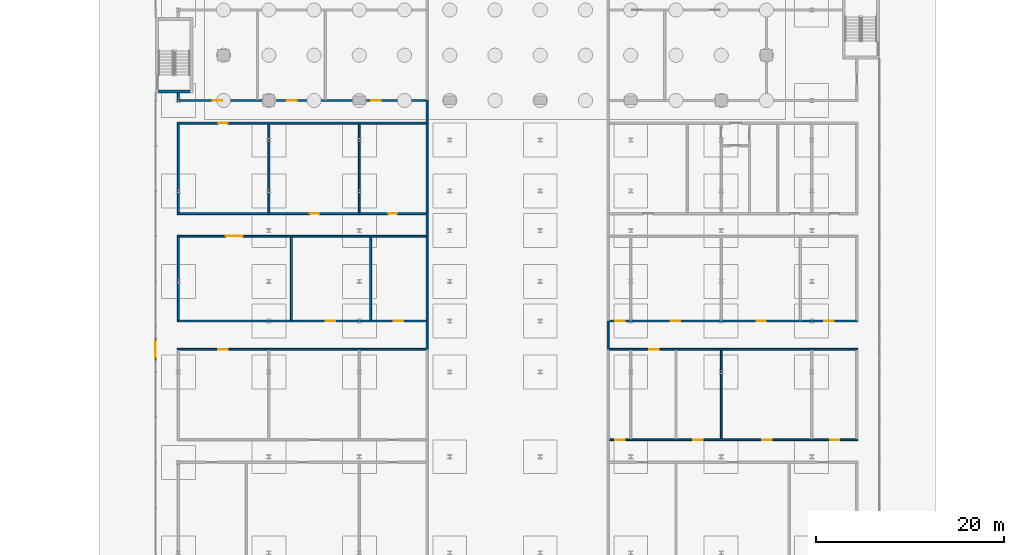
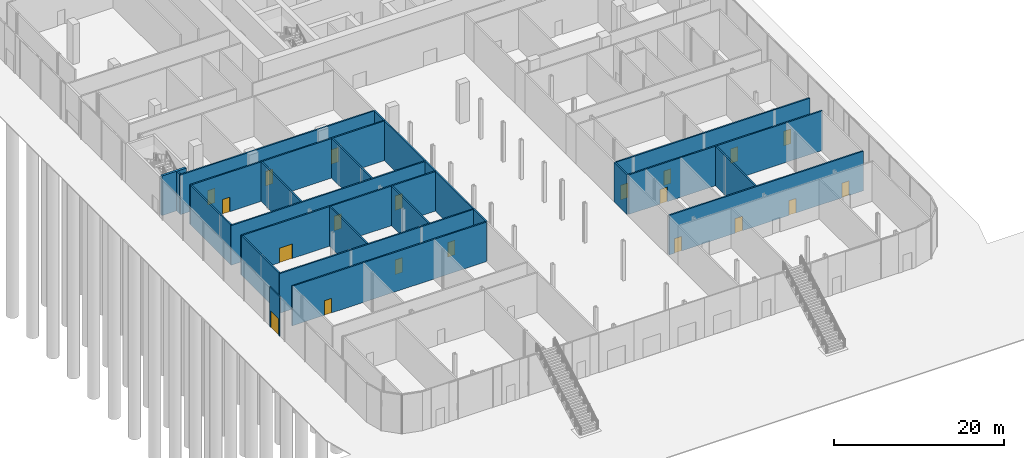
# One storey, part 30 of 44: 25 walls, 20 doors, 20 openings.
"""IFC4 building model written with IfcOpenShell, lengths in metres."""

from ifc_helpers import new_model, si_unit, direction, frame, frame_2d, origin, place, context, subcontext, project, spatial, rectangle, extrude, material, layer, layer_set, type_object, element, fill, save


model = new_model("IFC4")

# Units and contexts
model_context = context("Model", 3, precision=1e-05, world=origin(), true_north=direction((0.0, 1.0)))
body_context = subcontext(model_context, "Body", "Model", "MODEL_VIEW")
ifc_project = project(units=[si_unit("LENGTHUNIT", "METRE"), si_unit("AREAUNIT", "SQUARE_METRE"), si_unit("VOLUMEUNIT", "CUBIC_METRE"), si_unit("PLANEANGLEUNIT", "RADIAN"), si_unit("MASSUNIT", "GRAM", prefix="KILO")], contexts=[model_context])

# Site, building, storey
site_placement = place(None, origin())
site = spatial("IfcSite", under=ifc_project, at=site_placement, CompositionType="ELEMENT")
building_placement = place(site_placement, origin())
building = spatial("IfcBuilding", under=site, at=building_placement, Name="Madar Terraces", CompositionType="ELEMENT")
storey_placement = place(building_placement, origin())
storey = spatial("IfcBuildingStorey", under=building, at=storey_placement, Name="L00", CompositionType="ELEMENT", Elevation=0.0)

# Wall, opening, door
ifc_material_1 = material(Name="Aluminium composite panel, black, over insulated backing", Category="aluminium")
ifc_layer_1 = layer(ifc_material_1, 0.14990234375)
ifc_layer_set_1 = layer_set([ifc_layer_1], Name="Facade bay panel 150")
wall_type_1 = type_object("IfcWallType", Name="Facade bay panel 150", PredefinedType="SOLIDWALL", material=ifc_layer_set_1)
wall_1_placement = place(storey_placement, frame((-7.199951171875, -25.199951171875, 0.0), z_axis=(0.0, 0.0, 1.0), x_axis=(0.0, -1.0, 0.0)))
wall_1 = element("IfcWall", 1, at=wall_1_placement, inside=storey, type_object=wall_type_1, Name="Facade bay panel", PredefinedType="SOLIDWALL", context=body_context, shape_type="SweptSolid", body=[
    extrude(rectangle(XDim=2.400146484375, YDim=0.14990234375, at=frame_2d((1.2001953125, 0.0))), origin(), (0.0, 0.0, 1.0), 5.699951171875),
])
opening_1_placement = place(wall_1_placement, frame((0.300048828125, 0.0, 0.0)))
opening_1 = element("IfcOpeningElement", 2, at=opening_1_placement, cuts=wall_1, Name="Opening ED1", PredefinedType="OPENING", context=body_context, shape_type="SweptSolid", body=[
    extrude(rectangle(XDim=1.800048828125, YDim=2.39990234375, at=frame_2d((0.89990234375, 1.199951171875))), frame((0.0, 0.0849609375, 0.0), z_axis=(0.0, -1.0, 0.0), x_axis=(1.0, 0.0, 0.0)), (0.0, 0.0, 1.0), 0.169921875),
])
ifc_material_2 = material(Name="Glass, clear, with black aluminium frame", Category="aluminium")
door_type_1 = type_object("IfcDoorType", Name="Balcony and terrace sliding door 1800 x 2400", OperationType="SLIDING_TO_LEFT", PredefinedType="DOOR", material=ifc_material_2)
door_1_placement = place(opening_1_placement, origin())
door_1 = element("IfcDoor", 3, at=door_1_placement, inside=storey, type_object=door_type_1, Name="Balcony door", OperationType="SLIDING_TO_RIGHT", OverallHeight=2.39990234375, OverallWidth=1.800048828125, PredefinedType="DOOR", context=body_context, shape_type="SweptSolid", body=[
    extrude(rectangle(XDim=1.800048828125, YDim=2.39990234375, at=frame_2d((0.89990234375, 1.199951171875))), frame((0.0, 0.02490234375, 0.0), z_axis=(0.0, -1.0, 0.0), x_axis=(1.0, 0.0, 0.0)), (0.0, 0.0, 1.0), 0.050048828125),
])
fill(opening_1, door_1)

# Wall, openings, doors
ifc_material_3 = material(Name="Gypsum board partition, fire-rated")
ifc_layer_2 = layer(ifc_material_3, 0.199951171875)
ifc_layer_set_2 = layer_set([ifc_layer_2], Name="Partition 200 EI 60")
wall_type_2 = type_object("IfcWallType", Name="Partition 200 EI 60", PredefinedType="PARTITIONING", material=ifc_layer_set_2)
wall_2_placement = place(storey_placement, frame((40.89990234375, -36.0, 0.0), z_axis=(0.0, 0.0, 1.0), x_axis=(1.0, 0.0, 0.0)))
wall_2 = element("IfcWall", 4, at=wall_2_placement, inside=storey, type_object=wall_type_2, Name="Wall OFFICE + STORE", PredefinedType="PARTITIONING", context=body_context, shape_type="SweptSolid", body=[
    extrude(rectangle(XDim=26.400146484375, YDim=0.199951171875, at=frame_2d((13.2001953125, 0.0))), origin(), (0.0, 0.0, 1.0), 5.699951171875),
])
opening_2_placement = place(wall_2_placement, frame((0.64990234375, 0.0, 0.0)))
opening_2 = element("IfcOpeningElement", 5, at=opening_2_placement, cuts=wall_2, Name="Opening D31", PredefinedType="OPENING", context=body_context, shape_type="SweptSolid", body=[
    extrude(rectangle(XDim=1.0, YDim=2.10009765625, at=frame_2d((0.5, 1.050048828125))), frame((0.0, 0.10986328125, 0.0), z_axis=(0.0, -1.0, 0.0), x_axis=(1.0, 0.0, 0.0)), (0.0, 0.0, 1.0), 0.219970703125),
])
opening_3_placement = place(wall_2_placement, frame((8.949951171875, 0.0, 0.0)))
opening_3 = element("IfcOpeningElement", 6, at=opening_3_placement, cuts=wall_2, Name="Opening D31", PredefinedType="OPENING", context=body_context, shape_type="SweptSolid", body=[
    extrude(rectangle(XDim=1.0, YDim=2.10009765625, at=frame_2d((0.5, 1.050048828125))), frame((0.0, 0.10986328125, 0.0), z_axis=(0.0, -1.0, 0.0), x_axis=(1.0, 0.0, 0.0)), (0.0, 0.0, 1.0), 0.219970703125),
])
opening_4_placement = place(wall_2_placement, frame((16.25, 0.0, 0.0)))
opening_4 = element("IfcOpeningElement", 7, at=opening_4_placement, cuts=wall_2, Name="Opening D31", PredefinedType="OPENING", context=body_context, shape_type="SweptSolid", body=[
    extrude(rectangle(XDim=1.0, YDim=2.10009765625, at=frame_2d((0.5, 1.050048828125))), frame((0.0, 0.10986328125, 0.0), z_axis=(0.0, -1.0, 0.0), x_axis=(1.0, 0.0, 0.0)), (0.0, 0.0, 1.0), 0.219970703125),
])
opening_5_placement = place(wall_2_placement, frame((23.449951171875, 0.0, 0.0)))
opening_5 = element("IfcOpeningElement", 8, at=opening_5_placement, cuts=wall_2, Name="Opening D31", PredefinedType="OPENING", context=body_context, shape_type="SweptSolid", body=[
    extrude(rectangle(XDim=1.0, YDim=2.10009765625, at=frame_2d((0.5, 1.050048828125))), frame((0.0, 0.10986328125, 0.0), z_axis=(0.0, -1.0, 0.0), x_axis=(1.0, 0.0, 0.0)), (0.0, 0.0, 1.0), 0.219970703125),
])
ifc_material_4 = material(Name="Timber door leaf, fire-rated", Category="wood")
door_type_2 = type_object("IfcDoorType", Name="Podium door 1000 x 2100 FD30S", OperationType="NOTDEFINED", PredefinedType="DOOR", material=ifc_material_4)
door_2_placement = place(opening_2_placement, origin())
door_2 = element("IfcDoor", 9, at=door_2_placement, inside=storey, type_object=door_type_2, Name="Door STORE / PODIUM CORRIDOR", OperationType="SINGLE_SWING_LEFT", OverallHeight=2.10009765625, OverallWidth=1.0, PredefinedType="DOOR", context=body_context, shape_type="SweptSolid", body=[
    extrude(rectangle(XDim=1.0, YDim=2.10009765625, at=frame_2d((0.5, 1.050048828125))), frame((0.0, 0.02490234375, 0.0), z_axis=(0.0, -1.0, 0.0), x_axis=(1.0, 0.0, 0.0)), (0.0, 0.0, 1.0), 0.050048828125),
])
fill(opening_2, door_2)
door_3_placement = place(opening_3_placement, origin())
door_3 = element("IfcDoor", 10, at=door_3_placement, inside=storey, type_object=door_type_2, Name="Door OFFICE / PODIUM CORRIDOR", OperationType="SINGLE_SWING_LEFT", OverallHeight=2.10009765625, OverallWidth=1.0, PredefinedType="DOOR", context=body_context, shape_type="SweptSolid", body=[
    extrude(rectangle(XDim=1.0, YDim=2.10009765625, at=frame_2d((0.5, 1.050048828125))), frame((0.0, 0.02490234375, 0.0), z_axis=(0.0, -1.0, 0.0), x_axis=(1.0, 0.0, 0.0)), (0.0, 0.0, 1.0), 0.050048828125),
])
fill(opening_3, door_3)
door_4_placement = place(opening_4_placement, origin())
door_4 = element("IfcDoor", 11, at=door_4_placement, inside=storey, type_object=door_type_2, Name="Door OFFICE / PODIUM CORRIDOR", OperationType="SINGLE_SWING_RIGHT", OverallHeight=2.10009765625, OverallWidth=1.0, PredefinedType="DOOR", context=body_context, shape_type="SweptSolid", body=[
    extrude(rectangle(XDim=1.0, YDim=2.10009765625, at=frame_2d((0.5, 1.050048828125))), frame((0.0, 0.02490234375, 0.0), z_axis=(0.0, -1.0, 0.0), x_axis=(1.0, 0.0, 0.0)), (0.0, 0.0, 1.0), 0.050048828125),
])
fill(opening_4, door_4)
door_5_placement = place(opening_5_placement, origin())
door_5 = element("IfcDoor", 12, at=door_5_placement, inside=storey, type_object=door_type_2, Name="Door OFFICE / PODIUM CORRIDOR", OperationType="SINGLE_SWING_LEFT", OverallHeight=2.10009765625, OverallWidth=1.0, PredefinedType="DOOR", context=body_context, shape_type="SweptSolid", body=[
    extrude(rectangle(XDim=1.0, YDim=2.10009765625, at=frame_2d((0.5, 1.050048828125))), frame((0.0, 0.02490234375, 0.0), z_axis=(0.0, -1.0, 0.0), x_axis=(1.0, 0.0, 0.0)), (0.0, 0.0, 1.0), 0.050048828125),
])
fill(opening_5, door_5)

# Wall, opening, door
wall_3_placement = place(storey_placement, frame((21.5, -26.39990234375, 0.0), z_axis=(0.0, 0.0, 1.0), x_axis=(-1.0, 0.0, 0.0)))
wall_3 = element("IfcWall", 13, at=wall_3_placement, inside=storey, type_object=wall_type_2, Name="Wall KIOSK + OFFICE", PredefinedType="PARTITIONING", context=body_context, shape_type="SweptSolid", body=[
    extrude(rectangle(XDim=26.39990234375, YDim=0.199951171875, at=frame_2d((13.199951171875, 0.0))), origin(), (0.0, 0.0, 1.0), 5.699951171875),
])
opening_6_placement = place(wall_3_placement, frame((21.050048828125, 0.0, 0.0)))
opening_6 = element("IfcOpeningElement", 14, at=opening_6_placement, cuts=wall_3, Name="Opening D31", PredefinedType="OPENING", context=body_context, shape_type="SweptSolid", body=[
    extrude(rectangle(XDim=1.0, YDim=2.10009765625, at=frame_2d((0.5, 1.050048828125))), frame((0.0, 0.10986328125, 0.0), z_axis=(0.0, -1.0, 0.0), x_axis=(1.0, 0.0, 0.0)), (0.0, 0.0, 1.0), 0.219970703125),
])
door_6_placement = place(opening_6_placement, origin())
door_6 = element("IfcDoor", 15, at=door_6_placement, inside=storey, type_object=door_type_2, Name="Door OFFICE / PODIUM CORRIDOR", OperationType="SINGLE_SWING_LEFT", OverallHeight=2.10009765625, OverallWidth=1.0, PredefinedType="DOOR", context=body_context, shape_type="SweptSolid", body=[
    extrude(rectangle(XDim=1.0, YDim=2.10009765625, at=frame_2d((0.5, 1.050048828125))), frame((0.0, 0.02490234375, 0.0), z_axis=(0.0, -1.0, 0.0), x_axis=(1.0, 0.0, 0.0)), (0.0, 0.0, 1.0), 0.050048828125),
])
fill(opening_6, door_6)

wall_4_placement = place(storey_placement, frame((67.300048828125, -26.39990234375, 0.0), z_axis=(0.0, 0.0, 1.0), x_axis=(-1.0, 0.0, 0.0)))
wall_4 = element("IfcWall", 16, at=wall_4_placement, inside=storey, type_object=wall_type_2, Name="Wall OFFICE + STORE", PredefinedType="PARTITIONING", context=body_context, shape_type="SweptSolid", body=[
    extrude(rectangle(XDim=26.400146484375, YDim=0.199951171875, at=frame_2d((13.2001953125, 0.0))), origin(), (0.0, 0.0, 1.0), 5.699951171875),
])
opening_7_placement = place(wall_4_placement, frame((21.14990234375, 0.0, 0.0)))
opening_7 = element("IfcOpeningElement", 17, at=opening_7_placement, cuts=wall_4, Name="Opening D31", PredefinedType="OPENING", context=body_context, shape_type="SweptSolid", body=[
    extrude(rectangle(XDim=1.0, YDim=2.10009765625, at=frame_2d((0.5, 1.050048828125))), frame((0.0, 0.10986328125, 0.0), z_axis=(0.0, -1.0, 0.0), x_axis=(1.0, 0.0, 0.0)), (0.0, 0.0, 1.0), 0.219970703125),
])
door_7_placement = place(opening_7_placement, origin())
door_7 = element("IfcDoor", 18, at=door_7_placement, inside=storey, type_object=door_type_2, Name="Door OFFICE / PODIUM CORRIDOR", OperationType="SINGLE_SWING_LEFT", OverallHeight=2.10009765625, OverallWidth=1.0, PredefinedType="DOOR", context=body_context, shape_type="SweptSolid", body=[
    extrude(rectangle(XDim=1.0, YDim=2.10009765625, at=frame_2d((0.5, 1.050048828125))), frame((0.0, 0.02490234375, 0.0), z_axis=(0.0, -1.0, 0.0), x_axis=(1.0, 0.0, 0.0)), (0.0, 0.0, 1.0), 0.050048828125),
])
fill(opening_7, door_7)

# Wall, openings, doors
wall_5_placement = place(storey_placement, frame((-4.89990234375, -23.39990234375, 0.0), z_axis=(0.0, 0.0, 1.0), x_axis=(1.0, 0.0, 0.0)))
wall_5 = element("IfcWall", 19, at=wall_5_placement, inside=storey, type_object=wall_type_2, Name="Wall CAFE + KITCHEN", PredefinedType="PARTITIONING", context=body_context, shape_type="SweptSolid", body=[
    extrude(rectangle(XDim=26.39990234375, YDim=0.199951171875, at=frame_2d((13.199951171875, 0.0))), origin(), (0.0, 0.0, 1.0), 5.699951171875),
])
opening_8_placement = place(wall_5_placement, frame((15.75, 0.0, 0.0)))
opening_8 = element("IfcOpeningElement", 20, at=opening_8_placement, cuts=wall_5, Name="Opening D31", PredefinedType="OPENING", context=body_context, shape_type="SweptSolid", body=[
    extrude(rectangle(XDim=1.0, YDim=2.10009765625, at=frame_2d((0.5, 1.050048828125))), frame((0.0, 0.10986328125, 0.0), z_axis=(0.0, -1.0, 0.0), x_axis=(1.0, 0.0, 0.0)), (0.0, 0.0, 1.0), 0.219970703125),
])
opening_9_placement = place(wall_5_placement, frame((22.949951171875, 0.0, 0.0)))
opening_9 = element("IfcOpeningElement", 21, at=opening_9_placement, cuts=wall_5, Name="Opening D31", PredefinedType="OPENING", context=body_context, shape_type="SweptSolid", body=[
    extrude(rectangle(XDim=1.0, YDim=2.10009765625, at=frame_2d((0.5, 1.050048828125))), frame((0.0, 0.10986328125, 0.0), z_axis=(0.0, -1.0, 0.0), x_axis=(1.0, 0.0, 0.0)), (0.0, 0.0, 1.0), 0.219970703125),
])
door_8_placement = place(opening_8_placement, origin())
door_8 = element("IfcDoor", 22, at=door_8_placement, inside=storey, type_object=door_type_2, Name="Door STORE / PODIUM CORRIDOR", OperationType="SINGLE_SWING_LEFT", OverallHeight=2.10009765625, OverallWidth=1.0, PredefinedType="DOOR", context=body_context, shape_type="SweptSolid", body=[
    extrude(rectangle(XDim=1.0, YDim=2.10009765625, at=frame_2d((0.5, 1.050048828125))), frame((0.0, 0.02490234375, 0.0), z_axis=(0.0, -1.0, 0.0), x_axis=(1.0, 0.0, 0.0)), (0.0, 0.0, 1.0), 0.050048828125),
])
fill(opening_8, door_8)
door_9_placement = place(opening_9_placement, origin())
door_9 = element("IfcDoor", 23, at=door_9_placement, inside=storey, type_object=door_type_2, Name="Door KITCHEN / PODIUM CORRIDOR", OperationType="SINGLE_SWING_LEFT", OverallHeight=2.10009765625, OverallWidth=1.0, PredefinedType="DOOR", context=body_context, shape_type="SweptSolid", body=[
    extrude(rectangle(XDim=1.0, YDim=2.10009765625, at=frame_2d((0.5, 1.050048828125))), frame((0.0, 0.02490234375, 0.0), z_axis=(0.0, -1.0, 0.0), x_axis=(1.0, 0.0, 0.0)), (0.0, 0.0, 1.0), 0.050048828125),
])
fill(opening_9, door_9)

wall_6_placement = place(storey_placement, frame((40.89990234375, -23.39990234375, 0.0), z_axis=(0.0, 0.0, 1.0), x_axis=(1.0, 0.0, 0.0)))
wall_6 = element("IfcWall", 24, at=wall_6_placement, inside=storey, type_object=wall_type_2, Name="Wall KIOSK + STORE", PredefinedType="PARTITIONING", context=body_context, shape_type="SweptSolid", body=[
    extrude(rectangle(XDim=26.400146484375, YDim=0.199951171875, at=frame_2d((13.2001953125, 0.0))), origin(), (0.0, 0.0, 1.0), 5.699951171875),
])
opening_10_placement = place(wall_6_placement, frame((0.64990234375, 0.0, 0.0)))
opening_10 = element("IfcOpeningElement", 25, at=opening_10_placement, cuts=wall_6, Name="Opening D31", PredefinedType="OPENING", context=body_context, shape_type="SweptSolid", body=[
    extrude(rectangle(XDim=1.0, YDim=2.10009765625, at=frame_2d((0.5, 1.050048828125))), frame((0.0, 0.10986328125, 0.0), z_axis=(0.0, -1.0, 0.0), x_axis=(1.0, 0.0, 0.0)), (0.0, 0.0, 1.0), 0.219970703125),
])
opening_11_placement = place(wall_6_placement, frame((6.550048828125, 0.0, 0.0)))
opening_11 = element("IfcOpeningElement", 26, at=opening_11_placement, cuts=wall_6, Name="Opening D31", PredefinedType="OPENING", context=body_context, shape_type="SweptSolid", body=[
    extrude(rectangle(XDim=1.0, YDim=2.10009765625, at=frame_2d((0.5, 1.050048828125))), frame((0.0, 0.10986328125, 0.0), z_axis=(0.0, -1.0, 0.0), x_axis=(1.0, 0.0, 0.0)), (0.0, 0.0, 1.0), 0.219970703125),
])
opening_12_placement = place(wall_6_placement, frame((15.64990234375, 0.0, 0.0)))
opening_12 = element("IfcOpeningElement", 27, at=opening_12_placement, cuts=wall_6, Name="Opening D31", PredefinedType="OPENING", context=body_context, shape_type="SweptSolid", body=[
    extrude(rectangle(XDim=1.0, YDim=2.10009765625, at=frame_2d((0.5, 1.050048828125))), frame((0.0, 0.10986328125, 0.0), z_axis=(0.0, -1.0, 0.0), x_axis=(1.0, 0.0, 0.0)), (0.0, 0.0, 1.0), 0.219970703125),
])
opening_13_placement = place(wall_6_placement, frame((22.85009765625, 0.0, 0.0)))
opening_13 = element("IfcOpeningElement", 28, at=opening_13_placement, cuts=wall_6, Name="Opening D31", PredefinedType="OPENING", context=body_context, shape_type="SweptSolid", body=[
    extrude(rectangle(XDim=1.0, YDim=2.10009765625, at=frame_2d((0.5, 1.050048828125))), frame((0.0, 0.10986328125, 0.0), z_axis=(0.0, -1.0, 0.0), x_axis=(1.0, 0.0, 0.0)), (0.0, 0.0, 1.0), 0.219970703125),
])
door_10_placement = place(opening_10_placement, origin())
door_10 = element("IfcDoor", 29, at=door_10_placement, inside=storey, type_object=door_type_2, Name="Door STORE / PODIUM CORRIDOR", OperationType="SINGLE_SWING_LEFT", OverallHeight=2.10009765625, OverallWidth=1.0, PredefinedType="DOOR", context=body_context, shape_type="SweptSolid", body=[
    extrude(rectangle(XDim=1.0, YDim=2.10009765625, at=frame_2d((0.5, 1.050048828125))), frame((0.0, 0.02490234375, 0.0), z_axis=(0.0, -1.0, 0.0), x_axis=(1.0, 0.0, 0.0)), (0.0, 0.0, 1.0), 0.050048828125),
])
fill(opening_10, door_10)
door_11_placement = place(opening_11_placement, origin())
door_11 = element("IfcDoor", 30, at=door_11_placement, inside=storey, type_object=door_type_2, Name="Door WORKSHOP / PODIUM CORRIDOR", OperationType="SINGLE_SWING_LEFT", OverallHeight=2.10009765625, OverallWidth=1.0, PredefinedType="DOOR", context=body_context, shape_type="SweptSolid", body=[
    extrude(rectangle(XDim=1.0, YDim=2.10009765625, at=frame_2d((0.5, 1.050048828125))), frame((0.0, 0.02490234375, 0.0), z_axis=(0.0, -1.0, 0.0), x_axis=(1.0, 0.0, 0.0)), (0.0, 0.0, 1.0), 0.050048828125),
])
fill(opening_11, door_11)
door_12_placement = place(opening_12_placement, origin())
door_12 = element("IfcDoor", 31, at=door_12_placement, inside=storey, type_object=door_type_2, Name="Door WORKSHOP / PODIUM CORRIDOR", OperationType="SINGLE_SWING_RIGHT", OverallHeight=2.10009765625, OverallWidth=1.0, PredefinedType="DOOR", context=body_context, shape_type="SweptSolid", body=[
    extrude(rectangle(XDim=1.0, YDim=2.10009765625, at=frame_2d((0.5, 1.050048828125))), frame((0.0, 0.02490234375, 0.0), z_axis=(0.0, -1.0, 0.0), x_axis=(1.0, 0.0, 0.0)), (0.0, 0.0, 1.0), 0.050048828125),
])
fill(opening_12, door_12)
door_13_placement = place(opening_13_placement, origin())
door_13 = element("IfcDoor", 32, at=door_13_placement, inside=storey, type_object=door_type_2, Name="Door KIOSK / PODIUM CORRIDOR", OperationType="SINGLE_SWING_RIGHT", OverallHeight=2.10009765625, OverallWidth=1.0, PredefinedType="DOOR", context=body_context, shape_type="SweptSolid", body=[
    extrude(rectangle(XDim=1.0, YDim=2.10009765625, at=frame_2d((0.5, 1.050048828125))), frame((0.0, 0.02490234375, 0.0), z_axis=(0.0, -1.0, 0.0), x_axis=(1.0, 0.0, 0.0)), (0.0, 0.0, 1.0), 0.050048828125),
])
fill(opening_13, door_13)

# Wall, opening, door
wall_7_placement = place(storey_placement, frame((21.5, -14.39990234375, 0.0), z_axis=(0.0, 0.0, 1.0), x_axis=(-1.0, 0.0, 0.0)))
wall_7 = element("IfcWall", 33, at=wall_7_placement, inside=storey, type_object=wall_type_2, Name="Wall CAFE + KITCHEN", PredefinedType="PARTITIONING", context=body_context, shape_type="SweptSolid", body=[
    extrude(rectangle(XDim=26.39990234375, YDim=0.199951171875, at=frame_2d((13.199951171875, 0.0))), origin(), (0.0, 0.0, 1.0), 5.699951171875),
])
opening_14_placement = place(wall_7_placement, frame((19.449951171875, 0.0, 0.0)))
opening_14 = element("IfcOpeningElement", 34, at=opening_14_placement, cuts=wall_7, Name="Opening D30", PredefinedType="OPENING", context=body_context, shape_type="SweptSolid", body=[
    extrude(rectangle(XDim=1.800048828125, YDim=2.10009765625, at=frame_2d((0.89990234375, 1.050048828125))), frame((0.0, 0.10986328125, 0.0), z_axis=(0.0, -1.0, 0.0), x_axis=(1.0, 0.0, 0.0)), (0.0, 0.0, 1.0), 0.219970703125),
])
ifc_material_5 = material(Name="Timber door leaf, fire-rated", Category="wood")
door_type_3 = type_object("IfcDoorType", Name="Podium double door 1800 x 2100 FD30S", OperationType="DOUBLE_DOOR_SINGLE_SWING", PredefinedType="DOOR", material=ifc_material_5)
door_14_placement = place(opening_14_placement, origin())
door_14 = element("IfcDoor", 35, at=door_14_placement, inside=storey, type_object=door_type_3, Name="Door CAFE / PODIUM CORRIDOR", OperationType="DOUBLE_DOOR_SINGLE_SWING", OverallHeight=2.10009765625, OverallWidth=1.800048828125, PredefinedType="DOOR", context=body_context, shape_type="SweptSolid", body=[
    extrude(rectangle(XDim=1.800048828125, YDim=2.10009765625, at=frame_2d((0.89990234375, 1.050048828125))), frame((0.0, 0.02490234375, 0.0), z_axis=(0.0, -1.0, 0.0), x_axis=(1.0, 0.0, 0.0)), (0.0, 0.0, 1.0), 0.050048828125),
])
fill(opening_14, door_14)

# Wall, openings, doors
wall_8_placement = place(storey_placement, frame((-4.89990234375, -12.0, 0.0), z_axis=(0.0, 0.0, 1.0), x_axis=(1.0, 0.0, 0.0)))
wall_8 = element("IfcWall", 36, at=wall_8_placement, inside=storey, type_object=wall_type_2, Name="Wall HEALTH CENTRE CLINIC", PredefinedType="PARTITIONING", context=body_context, shape_type="SweptSolid", body=[
    extrude(rectangle(XDim=26.39990234375, YDim=0.199951171875, at=frame_2d((13.199951171875, 0.0))), origin(), (0.0, 0.0, 1.0), 5.699951171875),
])
opening_15_placement = place(wall_8_placement, frame((14.050048828125, 0.0, 0.0)))
opening_15 = element("IfcOpeningElement", 37, at=opening_15_placement, cuts=wall_8, Name="Opening D31", PredefinedType="OPENING", context=body_context, shape_type="SweptSolid", body=[
    extrude(rectangle(XDim=1.0, YDim=2.10009765625, at=frame_2d((0.5, 1.050048828125))), frame((0.0, 0.10986328125, 0.0), z_axis=(0.0, -1.0, 0.0), x_axis=(1.0, 0.0, 0.0)), (0.0, 0.0, 1.0), 0.219970703125),
])
opening_16_placement = place(wall_8_placement, frame((22.35009765625, 0.0, 0.0)))
opening_16 = element("IfcOpeningElement", 38, at=opening_16_placement, cuts=wall_8, Name="Opening D31", PredefinedType="OPENING", context=body_context, shape_type="SweptSolid", body=[
    extrude(rectangle(XDim=1.0, YDim=2.10009765625, at=frame_2d((0.5, 1.050048828125))), frame((0.0, 0.10986328125, 0.0), z_axis=(0.0, -1.0, 0.0), x_axis=(1.0, 0.0, 0.0)), (0.0, 0.0, 1.0), 0.219970703125),
])
door_15_placement = place(opening_15_placement, origin())
door_15 = element("IfcDoor", 39, at=door_15_placement, inside=storey, type_object=door_type_2, Name="Door HEALTH CENTRE CLINIC / PODIUM CORRIDOR", OperationType="SINGLE_SWING_RIGHT", OverallHeight=2.10009765625, OverallWidth=1.0, PredefinedType="DOOR", context=body_context, shape_type="SweptSolid", body=[
    extrude(rectangle(XDim=1.0, YDim=2.10009765625, at=frame_2d((0.5, 1.050048828125))), frame((0.0, 0.02490234375, 0.0), z_axis=(0.0, -1.0, 0.0), x_axis=(1.0, 0.0, 0.0)), (0.0, 0.0, 1.0), 0.050048828125),
])
fill(opening_15, door_15)
door_16_placement = place(opening_16_placement, origin())
door_16 = element("IfcDoor", 40, at=door_16_placement, inside=storey, type_object=door_type_2, Name="Door HEALTH CENTRE CLINIC / PODIUM CORRIDOR", OperationType="SINGLE_SWING_LEFT", OverallHeight=2.10009765625, OverallWidth=1.0, PredefinedType="DOOR", context=body_context, shape_type="SweptSolid", body=[
    extrude(rectangle(XDim=1.0, YDim=2.10009765625, at=frame_2d((0.5, 1.050048828125))), frame((0.0, 0.02490234375, 0.0), z_axis=(0.0, -1.0, 0.0), x_axis=(1.0, 0.0, 0.0)), (0.0, 0.0, 1.0), 0.050048828125),
])
fill(opening_16, door_16)

# Wall, opening, door
wall_9_placement = place(storey_placement, frame((21.5, -2.39990234375, 0.0), z_axis=(0.0, 0.0, 1.0), x_axis=(-1.0, 0.0, 0.0)))
wall_9 = element("IfcWall", 41, at=wall_9_placement, inside=storey, type_object=wall_type_2, Name="Wall HEALTH CENTRE CLINIC", PredefinedType="PARTITIONING", context=body_context, shape_type="SweptSolid", body=[
    extrude(rectangle(XDim=26.39990234375, YDim=0.199951171875, at=frame_2d((13.199951171875, 0.0))), origin(), (0.0, 0.0, 1.0), 5.699951171875),
])
opening_17_placement = place(wall_9_placement, frame((21.050048828125, 0.0, 0.0)))
opening_17 = element("IfcOpeningElement", 42, at=opening_17_placement, cuts=wall_9, Name="Opening D31", PredefinedType="OPENING", context=body_context, shape_type="SweptSolid", body=[
    extrude(rectangle(XDim=1.0, YDim=2.10009765625, at=frame_2d((0.5, 1.050048828125))), frame((0.0, 0.10986328125, 0.0), z_axis=(0.0, -1.0, 0.0), x_axis=(1.0, 0.0, 0.0)), (0.0, 0.0, 1.0), 0.219970703125),
])
door_17_placement = place(opening_17_placement, origin())
door_17 = element("IfcDoor", 43, at=door_17_placement, inside=storey, type_object=door_type_2, Name="Door HEALTH CENTRE CLINIC / PODIUM CORRIDOR", OperationType="SINGLE_SWING_LEFT", OverallHeight=2.10009765625, OverallWidth=1.0, PredefinedType="DOOR", context=body_context, shape_type="SweptSolid", body=[
    extrude(rectangle(XDim=1.0, YDim=2.10009765625, at=frame_2d((0.5, 1.050048828125))), frame((0.0, 0.02490234375, 0.0), z_axis=(0.0, -1.0, 0.0), x_axis=(1.0, 0.0, 0.0)), (0.0, 0.0, 1.0), 0.050048828125),
])
fill(opening_17, door_17)

# Wall, openings, doors
wall_10_placement = place(storey_placement, frame((-4.89990234375, 0.0, 0.0), z_axis=(0.0, 0.0, 1.0), x_axis=(1.0, 0.0, 0.0)))
wall_10 = element("IfcWall", 44, at=wall_10_placement, inside=storey, type_object=wall_type_2, Name="Wall HEALTH CENTRE RECEPTION + HEALTH CENTRE WAITING AREA", PredefinedType="PARTITIONING", context=body_context, shape_type="SweptSolid", body=[
    extrude(rectangle(XDim=26.39990234375, YDim=0.199951171875, at=frame_2d((13.199951171875, 0.0))), origin(), (0.0, 0.0, 1.0), 5.699951171875),
])
opening_18_placement = place(wall_10_placement, frame((3.75, 0.0, 0.0)))
opening_18 = element("IfcOpeningElement", 45, at=opening_18_placement, cuts=wall_10, Name="Opening D31", PredefinedType="OPENING", context=body_context, shape_type="SweptSolid", body=[
    extrude(rectangle(XDim=1.0, YDim=2.10009765625, at=frame_2d((0.5, 1.050048828125))), frame((0.0, 0.10986328125, 0.0), z_axis=(0.0, -1.0, 0.0), x_axis=(1.0, 0.0, 0.0)), (0.0, 0.0, 1.0), 0.219970703125),
])
opening_19_placement = place(wall_10_placement, frame((11.64990234375, 0.0, 0.0)))
opening_19 = element("IfcOpeningElement", 46, at=opening_19_placement, cuts=wall_10, Name="Opening D31", PredefinedType="OPENING", context=body_context, shape_type="SweptSolid", body=[
    extrude(rectangle(XDim=1.0, YDim=2.10009765625, at=frame_2d((0.5, 1.050048828125))), frame((0.0, 0.10986328125, 0.0), z_axis=(0.0, -1.0, 0.0), x_axis=(1.0, 0.0, 0.0)), (0.0, 0.0, 1.0), 0.219970703125),
])
opening_20_placement = place(wall_10_placement, frame((20.550048828125, 0.0, 0.0)))
opening_20 = element("IfcOpeningElement", 47, at=opening_20_placement, cuts=wall_10, Name="Opening D31", PredefinedType="OPENING", context=body_context, shape_type="SweptSolid", body=[
    extrude(rectangle(XDim=1.0, YDim=2.10009765625, at=frame_2d((0.5, 1.050048828125))), frame((0.0, 0.10986328125, 0.0), z_axis=(0.0, -1.0, 0.0), x_axis=(1.0, 0.0, 0.0)), (0.0, 0.0, 1.0), 0.219970703125),
])
door_18_placement = place(opening_18_placement, origin())
door_18 = element("IfcDoor", 48, at=door_18_placement, inside=storey, type_object=door_type_2, Name="Door HEALTH CENTRE RECEPTION / PODIUM CORRIDOR", OperationType="SINGLE_SWING_LEFT", OverallHeight=2.10009765625, OverallWidth=1.0, PredefinedType="DOOR", context=body_context, shape_type="SweptSolid", body=[
    extrude(rectangle(XDim=1.0, YDim=2.10009765625, at=frame_2d((0.5, 1.050048828125))), frame((0.0, 0.02490234375, 0.0), z_axis=(0.0, -1.0, 0.0), x_axis=(1.0, 0.0, 0.0)), (0.0, 0.0, 1.0), 0.050048828125),
])
fill(opening_18, door_18)
door_19_placement = place(opening_19_placement, origin())
door_19 = element("IfcDoor", 49, at=door_19_placement, inside=storey, type_object=door_type_2, Name="Door HEALTH CENTRE WAITING AREA / PODIUM CORRIDOR", OperationType="SINGLE_SWING_RIGHT", OverallHeight=2.10009765625, OverallWidth=1.0, PredefinedType="DOOR", context=body_context, shape_type="SweptSolid", body=[
    extrude(rectangle(XDim=1.0, YDim=2.10009765625, at=frame_2d((0.5, 1.050048828125))), frame((0.0, 0.02490234375, 0.0), z_axis=(0.0, -1.0, 0.0), x_axis=(1.0, 0.0, 0.0)), (0.0, 0.0, 1.0), 0.050048828125),
])
fill(opening_19, door_19)
door_20_placement = place(opening_20_placement, origin())
door_20 = element("IfcDoor", 50, at=door_20_placement, inside=storey, type_object=door_type_2, Name="Door PHARMACY / PODIUM CORRIDOR", OperationType="SINGLE_SWING_LEFT", OverallHeight=2.10009765625, OverallWidth=1.0, PredefinedType="DOOR", context=body_context, shape_type="SweptSolid", body=[
    extrude(rectangle(XDim=1.0, YDim=2.10009765625, at=frame_2d((0.5, 1.050048828125))), frame((0.0, 0.02490234375, 0.0), z_axis=(0.0, -1.0, 0.0), x_axis=(1.0, 0.0, 0.0)), (0.0, 0.0, 1.0), 0.050048828125),
])
fill(opening_20, door_20)

# Walls
wall_11_placement = place(storey_placement, frame((-4.800048828125, -23.300048828125, 0.0), z_axis=(0.0, 0.0, 1.0), x_axis=(0.0, 1.0, 0.0)))
element("IfcWall", 51, at=wall_11_placement, inside=storey, type_object=wall_type_2, Name="Wall CAFE / PODIUM CORRIDOR", PredefinedType="PARTITIONING", context=body_context, shape_type="SweptSolid", body=[
    extrude(rectangle(XDim=8.800048828125, YDim=0.199951171875, at=frame_2d((4.39990234375, 0.0))), origin(), (0.0, 0.0, 1.0), 5.699951171875),
])
wall_12_placement = place(storey_placement, frame((-4.800048828125, -11.89990234375, 0.0), z_axis=(0.0, 0.0, 1.0), x_axis=(0.0, 1.0, 0.0)))
element("IfcWall", 52, at=wall_12_placement, inside=storey, type_object=wall_type_2, Name="Wall HEALTH CENTRE CLINIC / PODIUM CORRIDOR", PredefinedType="PARTITIONING", context=body_context, shape_type="SweptSolid", body=[
    extrude(rectangle(XDim=9.39990234375, YDim=0.199951171875, at=frame_2d((4.699951171875, 0.0))), origin(), (0.0, 0.0, 1.0), 5.699951171875),
])
wall_13_placement = place(storey_placement, frame((-4.800048828125, 0.10009765625, 0.0), z_axis=(0.0, 0.0, 1.0), x_axis=(0.0, 1.0, 0.0)))
element("IfcWall", 53, at=wall_13_placement, inside=storey, type_object=wall_type_2, Name="Wall HEALTH CENTRE RECEPTION / PODIUM CORRIDOR", PredefinedType="PARTITIONING", context=body_context, shape_type="SweptSolid", body=[
    extrude(rectangle(XDim=0.699951171875, YDim=0.199951171875, at=frame_2d((0.35009765625, 0.0))), origin(), (0.0, 0.0, 1.0), 5.699951171875),
])
wall_14_placement = place(storey_placement, frame((4.800048828125, -11.89990234375, 0.0), z_axis=(0.0, 0.0, 1.0), x_axis=(0.0, 1.0, 0.0)))
element("IfcWall", 54, at=wall_14_placement, inside=storey, type_object=wall_type_2, Name="Wall HEALTH CENTRE CLINIC / HEALTH CENTRE CLINIC", PredefinedType="PARTITIONING", context=body_context, shape_type="SweptSolid", body=[
    extrude(rectangle(XDim=9.39990234375, YDim=0.199951171875, at=frame_2d((4.699951171875, 0.0))), origin(), (0.0, 0.0, 1.0), 5.699951171875),
])
wall_15_placement = place(storey_placement, frame((7.199951171875, -23.300048828125, 0.0), z_axis=(0.0, 0.0, 1.0), x_axis=(0.0, 1.0, 0.0)))
element("IfcWall", 55, at=wall_15_placement, inside=storey, type_object=wall_type_2, Name="Wall CAFE / STORE", PredefinedType="PARTITIONING", context=body_context, shape_type="SweptSolid", body=[
    extrude(rectangle(XDim=8.800048828125, YDim=0.199951171875, at=frame_2d((4.39990234375, 0.0))), origin(), (0.0, 0.0, 1.0), 5.699951171875),
])
wall_16_placement = place(storey_placement, frame((14.39990234375, -11.89990234375, 0.0), z_axis=(0.0, 0.0, 1.0), x_axis=(0.0, 1.0, 0.0)))
element("IfcWall", 56, at=wall_16_placement, inside=storey, type_object=wall_type_2, Name="Wall HEALTH CENTRE CLINIC / HEALTH CENTRE CLINIC", PredefinedType="PARTITIONING", context=body_context, shape_type="SweptSolid", body=[
    extrude(rectangle(XDim=9.39990234375, YDim=0.199951171875, at=frame_2d((4.699951171875, 0.0))), origin(), (0.0, 0.0, 1.0), 5.699951171875),
])
wall_17_placement = place(storey_placement, frame((15.60009765625, -23.300048828125, 0.0), z_axis=(0.0, 0.0, 1.0), x_axis=(0.0, 1.0, 0.0)))
element("IfcWall", 57, at=wall_17_placement, inside=storey, type_object=wall_type_2, Name="Wall STORE / KITCHEN", PredefinedType="PARTITIONING", context=body_context, shape_type="SweptSolid", body=[
    extrude(rectangle(XDim=8.800048828125, YDim=0.199951171875, at=frame_2d((4.39990234375, 0.0))), origin(), (0.0, 0.0, 1.0), 5.699951171875),
])
wall_18_placement = place(storey_placement, frame((21.60009765625, -23.39990234375, 0.0), z_axis=(0.0, 0.0, 1.0), x_axis=(0.0, 1.0, 0.0)))
element("IfcWall", 58, at=wall_18_placement, inside=storey, type_object=wall_type_2, Name="Wall KITCHEN / ENTRANCE HALL", PredefinedType="PARTITIONING", context=body_context, shape_type="SweptSolid", body=[
    extrude(rectangle(XDim=9.0, YDim=0.199951171875, at=frame_2d((4.5, 0.0))), origin(), (0.0, 0.0, 1.0), 5.699951171875),
])
wall_19_placement = place(storey_placement, frame((21.60009765625, -12.0, 0.0), z_axis=(0.0, 0.0, 1.0), x_axis=(0.0, 1.0, 0.0)))
element("IfcWall", 59, at=wall_19_placement, inside=storey, type_object=wall_type_2, Name="Wall HEALTH CENTRE CLINIC / ENTRANCE HALL", PredefinedType="PARTITIONING", context=body_context, shape_type="SweptSolid", body=[
    extrude(rectangle(XDim=9.60009765625, YDim=0.199951171875, at=frame_2d((4.800048828125, 0.0))), origin(), (0.0, 0.0, 1.0), 5.699951171875),
])
wall_20_placement = place(storey_placement, frame((21.60009765625, -26.39990234375, 0.0), z_axis=(0.0, 0.0, 1.0), x_axis=(0.0, 1.0, 0.0)))
element("IfcWall", 60, at=wall_20_placement, inside=storey, type_object=wall_type_2, Name="Wall ENTRANCE HALL / PODIUM CORRIDOR", PredefinedType="PARTITIONING", context=body_context, shape_type="SweptSolid", body=[
    extrude(rectangle(XDim=3.0, YDim=0.199951171875, at=frame_2d((1.5, 0.0))), origin(), (0.0, 0.0, 1.0), 5.699951171875),
])
for number, where, z_axis, x_axis, name in (
    (61, (21.60009765625, -14.39990234375, 0.0), (0.0, 0.0, 1.0), (0.0, 1.0, 0.0), "Wall ENTRANCE HALL / PODIUM CORRIDOR"),
    (62, (21.60009765625, -2.39990234375, 0.0), (0.0, 0.0, 1.0), (0.0, 1.0, 0.0), "Wall ENTRANCE HALL / PODIUM CORRIDOR"),
):
    element("IfcWall", number, at=place(storey_placement, frame(where, z_axis=z_axis, x_axis=x_axis)), inside=storey, type_object=wall_type_2, Name=name, PredefinedType="PARTITIONING", context=body_context, shape_type="SweptSolid", body=[
        extrude(rectangle(XDim=2.39990234375, YDim=0.199951171875, at=frame_2d((1.199951171875, 0.0))), origin(), (0.0, 0.0, 1.0), 5.699951171875),
    ])
wall_21_placement = place(storey_placement, frame((40.800048828125, -26.39990234375, 0.0), z_axis=(0.0, 0.0, 1.0), x_axis=(0.0, 1.0, 0.0)))
element("IfcWall", 63, at=wall_21_placement, inside=storey, type_object=wall_type_2, Name="Wall ENTRANCE HALL / PODIUM CORRIDOR", PredefinedType="PARTITIONING", context=body_context, shape_type="SweptSolid", body=[
    extrude(rectangle(XDim=3.0, YDim=0.199951171875, at=frame_2d((1.5, 0.0))), origin(), (0.0, 0.0, 1.0), 5.699951171875),
])
wall_22_placement = place(storey_placement, frame((52.800048828125, -35.89990234375, 0.0), z_axis=(0.0, 0.0, 1.0), x_axis=(0.0, 1.0, 0.0)))
element("IfcWall", 64, at=wall_22_placement, inside=storey, type_object=wall_type_2, Name="Wall OFFICE / OFFICE", PredefinedType="PARTITIONING", context=body_context, shape_type="SweptSolid", body=[
    extrude(rectangle(XDim=9.39990234375, YDim=0.199951171875, at=frame_2d((4.699951171875, 0.0))), origin(), (0.0, 0.0, 1.0), 5.699951171875),
])
ifc_material_6 = material(Name="Concrete C40/50", Category="concrete")
ifc_layer_3 = layer(ifc_material_6, 0.300048828125)
ifc_layer_set_3 = layer_set([ifc_layer_3], Name="Podium stair wall 300 C40/50")
wall_type_3 = type_object("IfcWallType", Name="Podium stair wall 300 C40/50", PredefinedType="SOLIDWALL", material=ifc_layer_set_3)
wall_23_placement = place(storey_placement, frame((-6.89990234375, 0.949951171875, 0.0), z_axis=(0.0, 0.0, 1.0), x_axis=(1.0, 0.0, 0.0)))
element("IfcWall", 65, at=wall_23_placement, inside=storey, type_object=wall_type_3, Name="PODIUM STAIR WALL", PredefinedType="SOLIDWALL", context=body_context, shape_type="SweptSolid", body=[
    extrude(rectangle(XDim=3.349853515625, YDim=0.300048828125, at=frame_2d((1.6748046875, 0.0))), origin(), (0.0, 0.0, 1.0), 5.699951171875),
])

save(model, "model.ifc")
